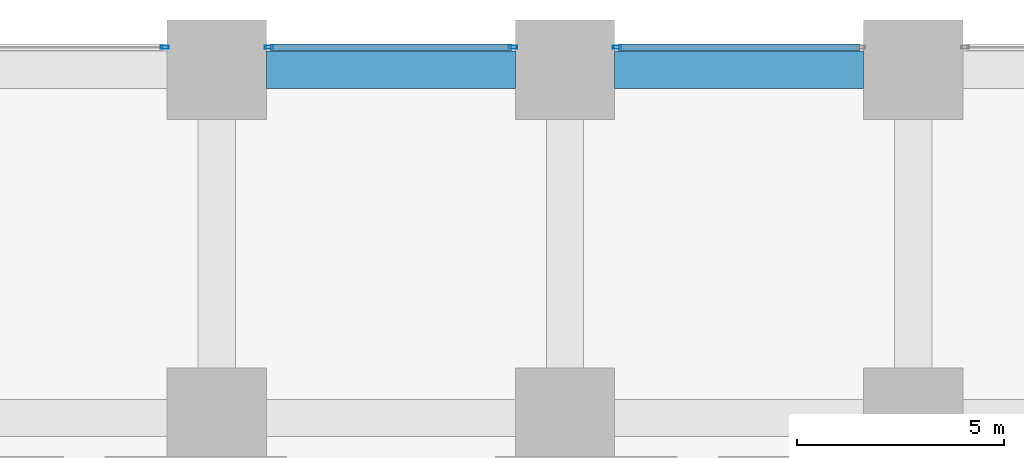
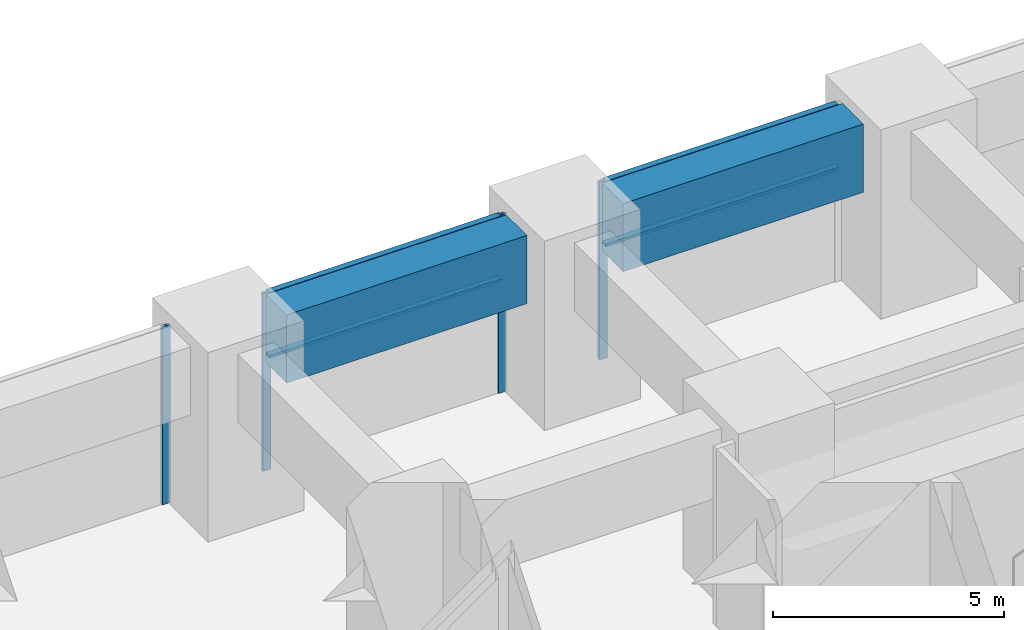
# One storey, part 27 of 49: 8 members, 2 beams, 3 elements without a shape of their own.
"""IFC4 building model written with IfcOpenShell, lengths in metres."""

from ifc_helpers import new_model, si_unit, direction, frame, origin, origin_2d, place, context, subcontext, project, spatial, rectangle, hollow_rectangle, extrude, material, material_profile, profile_set, type_object, element, aggregate, save


model = new_model("IFC4")

# Units and contexts
model_context = context("Model", 3, precision=1e-05, world=origin(), true_north=direction((0.0, 1.0)))
body_context = subcontext(model_context, "Body", "Model", "MODEL_VIEW")
ifc_project = project(units=[si_unit("LENGTHUNIT", "METRE"), si_unit("AREAUNIT", "SQUARE_METRE"), si_unit("VOLUMEUNIT", "CUBIC_METRE"), si_unit("PLANEANGLEUNIT", "RADIAN"), si_unit("MASSUNIT", "GRAM", prefix="KILO")], contexts=[model_context])

# Site, building, storey
site_placement = place(None, origin())
site = spatial("IfcSite", under=ifc_project, at=site_placement, CompositionType="ELEMENT")
building_placement = place(site_placement, origin())
building = spatial("IfcBuilding", under=site, at=building_placement, Name="Rekha Terrace Tower", CompositionType="ELEMENT")
storey_placement = place(building_placement, frame((0.0, 0.0, 5.39990234375)))
storey = spatial("IfcBuildingStorey", under=building, at=storey_placement, Name="L01", CompositionType="ELEMENT", Elevation=5.39990234375)

# Curtain wall, member
ifc_material_1 = material(Name="Aluminium framing", Category="aluminium")
curtain_wall_type = type_object("IfcCurtainWallType", Name="CW4 podium shopfront glazing", PredefinedType="USERDEFINED", material=ifc_material_1)
curtain_wall_1_placement = place(storey_placement, origin())
curtain_wall_1 = element("IfcCurtainWall", 1, at=curtain_wall_1_placement, inside=storey, type_object=curtain_wall_type, Name="CW4 shopfront curtain wall", ObjectType="SHOPFRONT CURTAIN WALL", PredefinedType="USERDEFINED")
ifc_material_2 = material(Name="Aluminium mullion section", Category="aluminium")
ifc_material_profile_1 = material_profile(ifc_material_2, hollow_rectangle(XDim=0.074951171875, YDim=0.199951171875, WallThickness=0.00390625, at=origin_2d()), Name="AL RHS 75x200")
ifc_profile_set_1 = profile_set([ifc_material_profile_1], Name="Aluminium mullion section")
member_type_1 = type_object("IfcMemberType", Name="CW4 mullion RHS 75 x 200", PredefinedType="MULLION", material=ifc_profile_set_1)
member_1_placement = place(storey_placement, frame((43.257568359375, 59.340087890625, 0.0), z_axis=(0.0, 0.0, 1.0), x_axis=(0.0, -1.0, 0.0)))
member_1 = element("IfcMember", 2, at=member_1_placement, type_object=member_type_1, Name="CW4 mullion 2", PredefinedType="MULLION", context=body_context, shape_type="SweptSolid", body=[
    extrude(hollow_rectangle(XDim=0.074951171875, YDim=0.199951171875, WallThickness=0.00390625, at=origin_2d()), origin(), (0.0, 0.0, 1.0), 4.7001953125),
])

# Curtain wall, members
curtain_wall_2_placement = place(storey_placement, origin())
curtain_wall_2 = element("IfcCurtainWall", 3, at=curtain_wall_2_placement, inside=storey, type_object=curtain_wall_type, Name="CW4 shopfront curtain wall", ObjectType="SHOPFRONT CURTAIN WALL", PredefinedType="USERDEFINED")
member_2_placement = place(storey_placement, frame((40.742431640625, 59.340087890625, 0.0), z_axis=(0.0, 0.0, 1.0), x_axis=(0.0, -1.0, 0.0)))
member_2 = element("IfcMember", 4, at=member_2_placement, type_object=member_type_1, Name="CW4 mullion 1", PredefinedType="MULLION", context=body_context, shape_type="SweptSolid", body=[
    extrude(hollow_rectangle(XDim=0.074951171875, YDim=0.199951171875, WallThickness=0.00390625, at=origin_2d()), origin(), (0.0, 0.0, 1.0), 4.7001953125),
])
member_3_placement = place(storey_placement, frame((34.857421875, 59.340087890625, 0.0), z_axis=(0.0, 0.0, 1.0), x_axis=(0.0, -1.0, 0.0)))
member_3 = element("IfcMember", 5, at=member_3_placement, type_object=member_type_1, Name="CW4 mullion 2", PredefinedType="MULLION", context=body_context, shape_type="SweptSolid", body=[
    extrude(hollow_rectangle(XDim=0.074951171875, YDim=0.199951171875, WallThickness=0.00390625, at=origin_2d()), origin(), (0.0, 0.0, 1.0), 4.7001953125),
])

# Curtain wall, member
curtain_wall_3_placement = place(storey_placement, origin())
curtain_wall_3 = element("IfcCurtainWall", 6, at=curtain_wall_3_placement, inside=storey, type_object=curtain_wall_type, Name="CW4 shopfront curtain wall", ObjectType="SHOPFRONT CURTAIN WALL", PredefinedType="USERDEFINED")
member_4_placement = place(storey_placement, frame((32.342529296875, 59.340087890625, 0.0), z_axis=(0.0, 0.0, 1.0), x_axis=(0.0, -1.0, 0.0)))
member_4 = element("IfcMember", 7, at=member_4_placement, type_object=member_type_1, Name="CW4 mullion 1", PredefinedType="MULLION", context=body_context, shape_type="SweptSolid", body=[
    extrude(hollow_rectangle(XDim=0.074951171875, YDim=0.199951171875, WallThickness=0.00390625, at=origin_2d()), origin(), (0.0, 0.0, 1.0), 4.7001953125),
])
aggregate(curtain_wall_3, [member_4])

# Member
ifc_material_3 = material(Name="Aluminium transom section", Category="aluminium")
ifc_material_profile_2 = material_profile(ifc_material_3, hollow_rectangle(XDim=0.14990234375, YDim=0.074951171875, WallThickness=0.0029296875, at=origin_2d()), Name="AL RHS 150x75")
ifc_profile_set_2 = profile_set([ifc_material_profile_2], Name="Aluminium transom section")
member_type_2 = type_object("IfcMemberType", Name="CW4 transom RHS 75 x 150", PredefinedType="USERDEFINED", material=ifc_profile_set_2)
member_5_placement = place(storey_placement, frame((49.10498046875, 59.340087890625, 3.0), z_axis=(-1.0, 0.0, 0.0), x_axis=(0.0, -1.0, 0.0)))
member_5 = element("IfcMember", 8, at=member_5_placement, type_object=member_type_2, Name="CW4 transom 1.2", ObjectType="TRANSOM", PredefinedType="USERDEFINED", context=body_context, shape_type="SweptSolid", body=[
    extrude(hollow_rectangle(XDim=0.14990234375, YDim=0.074951171875, WallThickness=0.0029296875, at=origin_2d()), origin(), (0.0, 0.0, 1.0), 5.81005859375),
])

member_6_placement = place(storey_placement, frame((49.10498046875, 59.340087890625, 4.66259765625), z_axis=(-1.0, 0.0, 0.0), x_axis=(0.0, -1.0, 0.0)))
member_6 = element("IfcMember", 9, at=member_6_placement, type_object=member_type_2, Name="CW4 transom 1.3", ObjectType="TRANSOM", PredefinedType="USERDEFINED", context=body_context, shape_type="SweptSolid", body=[
    extrude(hollow_rectangle(XDim=0.14990234375, YDim=0.074951171875, WallThickness=0.0029296875, at=origin_2d()), origin(), (0.0, 0.0, 1.0), 5.81005859375),
])

aggregate(curtain_wall_1, [member_1, member_5, member_6])

member_7_placement = place(storey_placement, frame((40.705078125, 59.340087890625, 3.0), z_axis=(-1.0, 0.0, 0.0), x_axis=(0.0, -1.0, 0.0)))
member_7 = element("IfcMember", 10, at=member_7_placement, type_object=member_type_2, Name="CW4 transom 1.2", ObjectType="TRANSOM", PredefinedType="USERDEFINED", context=body_context, shape_type="SweptSolid", body=[
    extrude(hollow_rectangle(XDim=0.14990234375, YDim=0.074951171875, WallThickness=0.0029296875, at=origin_2d()), origin(), (0.0, 0.0, 1.0), 5.81005859375),
])

member_8_placement = place(storey_placement, frame((40.705078125, 59.340087890625, 4.66259765625), z_axis=(-1.0, 0.0, 0.0), x_axis=(0.0, -1.0, 0.0)))
member_8 = element("IfcMember", 11, at=member_8_placement, type_object=member_type_2, Name="CW4 transom 1.3", ObjectType="TRANSOM", PredefinedType="USERDEFINED", context=body_context, shape_type="SweptSolid", body=[
    extrude(hollow_rectangle(XDim=0.14990234375, YDim=0.074951171875, WallThickness=0.0029296875, at=origin_2d()), origin(), (0.0, 0.0, 1.0), 5.81005859375),
])

aggregate(curtain_wall_2, [member_2, member_3, member_7, member_8])

# Beams
ifc_material_4 = material(Name="Concrete M60", Category="concrete")
ifc_material_profile_3 = material_profile(ifc_material_4, rectangle(XDim=0.89990234375, YDim=1.800048828125, at=origin_2d()), Name="RC 900x1800")
ifc_profile_set_3 = profile_set([ifc_material_profile_3], Name="Concrete M60")
beam_type = type_object("IfcBeamType", Name="G1 900x1800 podium floor beam", PredefinedType="BEAM", material=ifc_profile_set_3)
for number, where, z_axis, x_axis, name in (
    (12, (34.800048828125, 58.800048828125, 3.800048828125), (1.0, 0.0, 0.0), (0.0, 1.0, 0.0), "Beam G1 5H-6H under L02"),
    (13, (43.199951171875, 58.800048828125, 3.800048828125), (1.0, 0.0, 0.0), (0.0, 1.0, 0.0), "Beam G1 6H-7H under L02"),
):
    element("IfcBeam", number, at=place(storey_placement, frame(where, z_axis=z_axis, x_axis=x_axis)), inside=storey, type_object=beam_type, Name=name, PredefinedType="BEAM", context=body_context, shape_type="SweptSolid", body=[
        extrude(rectangle(XDim=0.89990234375, YDim=1.800048828125, at=origin_2d()), origin(), (0.0, 0.0, 1.0), 6.0),
    ])

save(model, "model.ifc")
